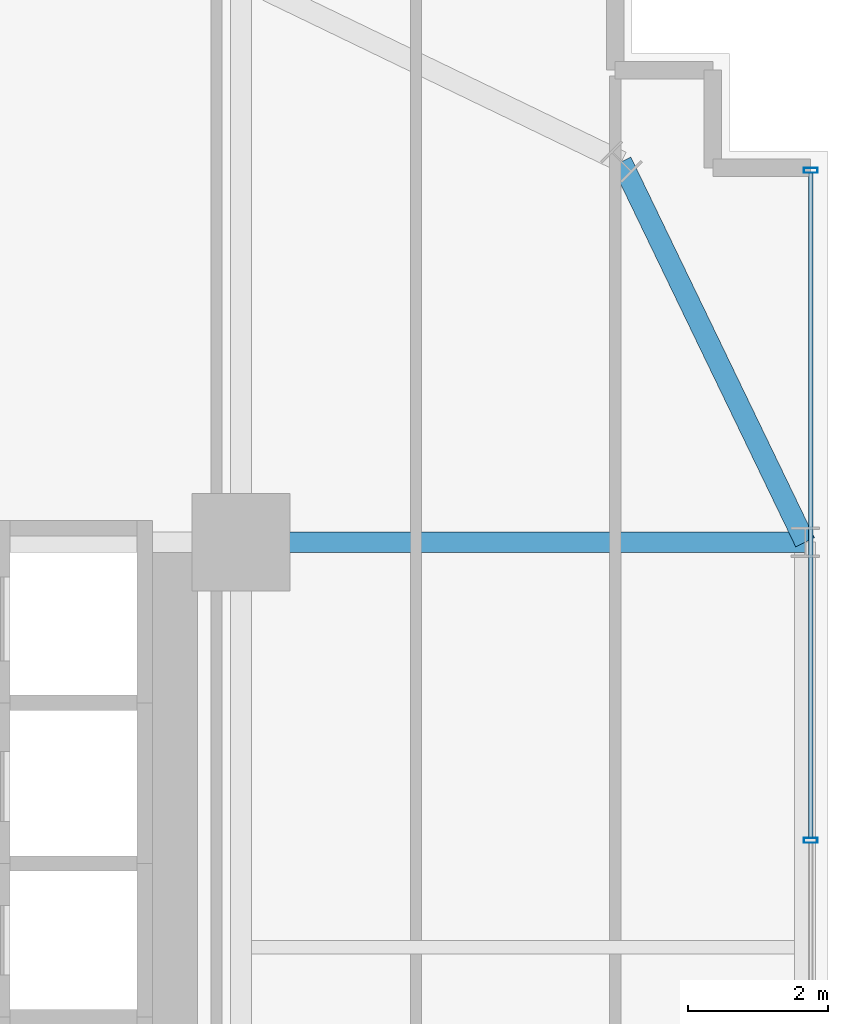
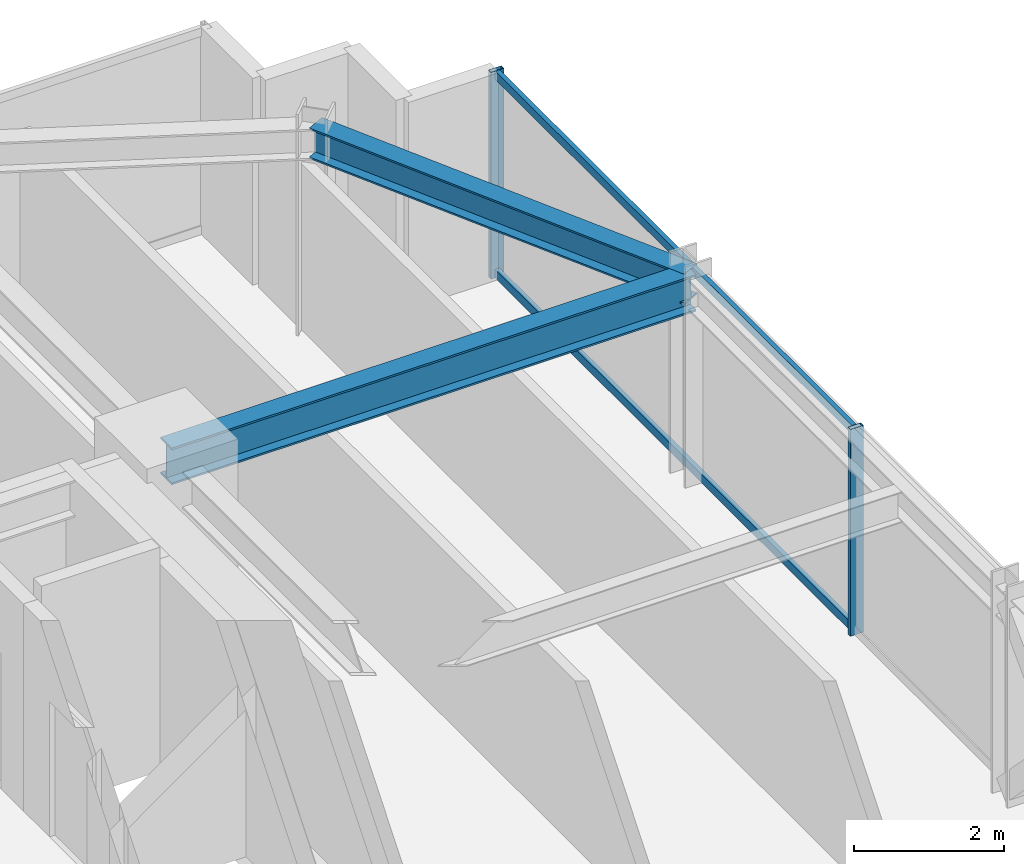
# One storey, part 31 of 42: 4 members, 2 beams, 1 element without a shape of its own.
"""IFC4 building model written with IfcOpenShell, lengths in metres."""

from ifc_helpers import new_model, si_unit, direction, frame, origin, origin_2d, place, context, subcontext, project, spatial, hollow_rectangle, i_section, extrude, source, transform, mapped, material, material_profile, profile_set, type_object, element, aggregate, save


model = new_model("IFC4")

# Units and contexts
model_context = context("Model", 3, precision=1e-05, world=origin(), true_north=direction((0.0, 1.0)))
body_context = subcontext(model_context, "Body", "Model", "MODEL_VIEW")
ifc_project = project(units=[si_unit("LENGTHUNIT", "METRE"), si_unit("AREAUNIT", "SQUARE_METRE"), si_unit("VOLUMEUNIT", "CUBIC_METRE"), si_unit("PLANEANGLEUNIT", "RADIAN"), si_unit("MASSUNIT", "GRAM", prefix="KILO")], contexts=[model_context])

# Site, building, storey
site_placement = place(None, origin())
site = spatial("IfcSite", under=ifc_project, at=site_placement, CompositionType="ELEMENT")
building_placement = place(site_placement, origin())
building = spatial("IfcBuilding", under=site, at=building_placement, Name="Nahalor Promenade Grand Hotel", CompositionType="ELEMENT")
storey_placement = place(building_placement, frame((0.0, 0.0, 61.60009765625)))
storey = spatial("IfcBuildingStorey", under=building, at=storey_placement, Name="L14", CompositionType="ELEMENT", Elevation=61.60009765625)

# Beams
ifc_material_1 = material(Name="Steel S355JR", Category="steel")
ifc_material_profile_1 = material_profile(ifc_material_1, i_section(OverallWidth=0.3, OverallDepth=0.6, WebThickness=0.0155, FlangeThickness=0.03, at=origin_2d()), Name="HEB 600")
ifc_profile_set_1 = profile_set([ifc_material_profile_1], Name="Steel S355JR")
beam_type_1 = type_object("IfcBeamType", Name="Beam-Girder-HEB600", PredefinedType="BEAM", material=ifc_profile_set_1)
shared_shape_1 = source(origin(), body_context, "Body", "SweptSolid", [
    extrude(i_section(OverallWidth=0.3, OverallDepth=0.6, WebThickness=0.0155, FlangeThickness=0.03, at=origin_2d()), origin(), (0.0, 0.0, 1.0), 8.080078125),
])
beam_1_placement = place(storey_placement, frame((17.0, 17.0, 3.06982421875), z_axis=(1.0, 0.0, 0.0), x_axis=(0.0, 1.0, 0.0)))
element("IfcBeam", 1, at=beam_1_placement, inside=storey, type_object=beam_type_1, Name="BM-L14-GX-3-6", PredefinedType="BEAM", context=body_context, shape_type="MappedRepresentation", body=[
    mapped(shared_shape_1, transform((0.0, 0.0, 0.0), scale=1.0)),
])
ifc_material_profile_2 = material_profile(ifc_material_1, i_section(OverallWidth=0.3, OverallDepth=0.5, WebThickness=0.0145, FlangeThickness=0.028, at=origin_2d()), Name="HEB 500")
ifc_profile_set_2 = profile_set([ifc_material_profile_2], Name="Steel S355JR")
beam_type_2 = type_object("IfcBeamType", Name="Beam-Spandrel-HEB500", PredefinedType="SPANDREL", material=ifc_profile_set_2)
shared_shape_2 = source(origin(), body_context, "Body", "SweptSolid", [
    extrude(i_section(OverallWidth=0.3, OverallDepth=0.5, WebThickness=0.0145, FlangeThickness=0.028, at=origin_2d()), origin(), (0.0, 0.0, 1.0), 6.051513671875),
])
beam_2_placement = place(storey_placement, frame((22.449951171875, 22.449951171875, 3.119873046875), z_axis=(0.434630596492, -0.900608818852, 0.0), x_axis=(0.900608818852, 0.434630596492, 0.0)))
element("IfcBeam", 2, at=beam_2_placement, inside=storey, type_object=beam_type_2, Name="BM-L14-SPC-NE-2", PredefinedType="SPANDREL", context=body_context, shape_type="MappedRepresentation", body=[
    mapped(shared_shape_2, transform((0.0, 0.0, 0.0), scale=1.0)),
])

# Curtain wall, members
ifc_material_2 = material(Name="Anodised Bronze Aluminium EN AW-6063 T6", Category="aluminium")
curtain_wall_type = type_object("IfcCurtainWallType", Name="CW3 Elliptical-Void Collar Unitised Curtain Wall", PredefinedType="USERDEFINED", material=ifc_material_2)
curtain_wall_placement = place(storey_placement, origin())
curtain_wall = element("IfcCurtainWall", 3, at=curtain_wall_placement, inside=storey, type_object=curtain_wall_type, Name="L14 Curtain Wall CW-L14-E-2", ObjectType="UNITISED_CURTAIN_WALL", PredefinedType="USERDEFINED")
ifc_material_profile_3 = material_profile(ifc_material_2, hollow_rectangle(XDim=0.07, YDim=0.2, WallThickness=0.005, at=origin_2d()), Name="CWM 70x200x5")
ifc_profile_set_3 = profile_set([ifc_material_profile_3], Name="Anodised Bronze Aluminium EN AW-6063 T6")
member_type_1 = type_object("IfcMemberType", Name="CWM3 Void Collar Mullion 70x200", PredefinedType="MULLION", material=ifc_profile_set_3)
shared_shape_3 = source(origin(), body_context, "Body", "SweptSolid", [
    extrude(hollow_rectangle(XDim=0.07, YDim=0.2, WallThickness=0.005, at=origin_2d()), origin(), (0.0, 0.0, 1.0), 3.369873046875),
])
member_1_placement = place(storey_placement, frame((25.159912109375, 12.72998046875, 0.0), z_axis=(0.0, 0.0, 1.0), x_axis=(0.0, 1.0, 0.0)))
member_1 = element("IfcMember", 4, at=member_1_placement, type_object=member_type_1, Name="CW-L14-E-2 Mullion 1", PredefinedType="MULLION", context=body_context, shape_type="MappedRepresentation", body=[
    mapped(shared_shape_3, transform((0.0, 0.0, 0.0), scale=1.0)),
])
member_2_placement = place(storey_placement, frame((25.159912109375, 22.324951171875, 0.0), z_axis=(0.0, 0.0, 1.0), x_axis=(0.0, 1.0, 0.0)))
member_2 = element("IfcMember", 5, at=member_2_placement, type_object=member_type_1, Name="CW-L14-E-2 Mullion 2", PredefinedType="MULLION", context=body_context, shape_type="MappedRepresentation", body=[
    mapped(shared_shape_3, transform((0.0, 0.0, 0.0), scale=1.0)),
])
ifc_material_profile_4 = material_profile(ifc_material_2, hollow_rectangle(XDim=0.07, YDim=0.14, WallThickness=0.004, at=origin_2d()), Name="CWT 70x140x4")
ifc_profile_set_4 = profile_set([ifc_material_profile_4], Name="Anodised Bronze Aluminium EN AW-6063 T6")
member_type_2 = type_object("IfcMemberType", Name="CWT3 Void Collar Transom 70x140", PredefinedType="USERDEFINED", material=ifc_profile_set_4)
shared_shape_4 = source(origin(), body_context, "Body", "SweptSolid", [
    extrude(hollow_rectangle(XDim=0.07, YDim=0.14, WallThickness=0.004, at=origin_2d()), origin(), (0.0, 0.0, 1.0), 9.525146484375),
])
member_3_placement = place(storey_placement, frame((25.159912109375, 12.764892578125, 0.06982421875), z_axis=(0.0, 1.0, 0.0), x_axis=(-1.0, 0.0, 0.0)))
member_3 = element("IfcMember", 6, at=member_3_placement, type_object=member_type_2, Name="CW-L14-E-2 Transom 1-0", ObjectType="TRANSOM", PredefinedType="USERDEFINED", context=body_context, shape_type="MappedRepresentation", body=[
    mapped(shared_shape_4, transform((0.0, 0.0, 0.0), scale=1.0)),
])
member_4_placement = place(storey_placement, frame((25.159912109375, 12.764892578125, 3.2998046875), z_axis=(0.0, 1.0, 0.0), x_axis=(-1.0, 0.0, 0.0)))
member_4 = element("IfcMember", 7, at=member_4_placement, type_object=member_type_2, Name="CW-L14-E-2 Transom 1-1", ObjectType="TRANSOM", PredefinedType="USERDEFINED", context=body_context, shape_type="MappedRepresentation", body=[
    mapped(shared_shape_4, transform((0.0, 0.0, 0.0), scale=1.0)),
])
aggregate(curtain_wall, [member_1, member_2, member_3, member_4])

save(model, "model.ifc")
